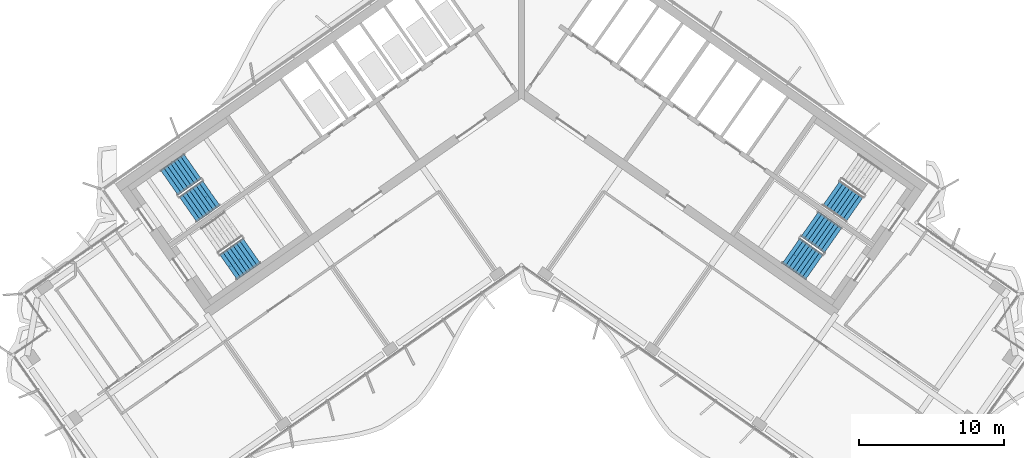
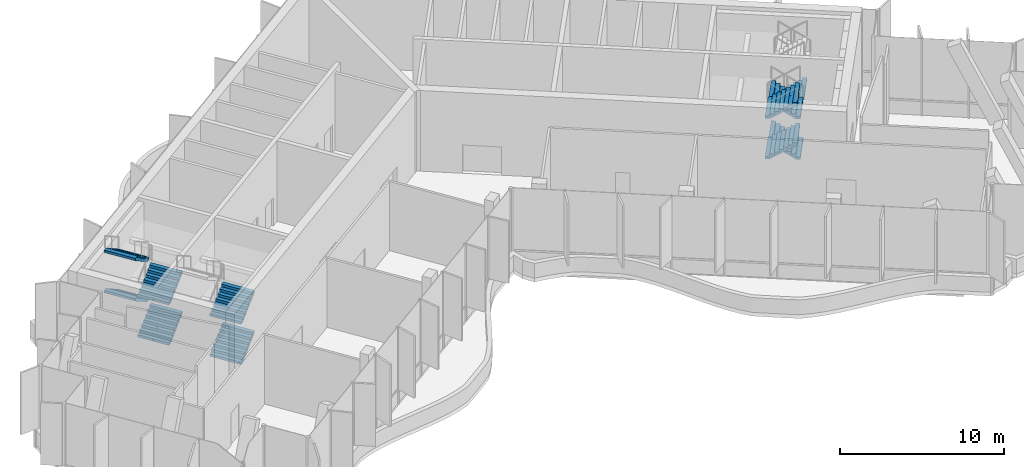
# One storey, part 15 of 22: 11 stair flights, 4 elements without a shape of their own.
"""IFC4 building model written with IfcOpenShell, lengths in metres."""

from ifc_helpers import new_model, si_unit, direction, frame, origin, place, context, subcontext, project, spatial, polyline, outline, extrude, material, type_object, element, aggregate, save


model = new_model("IFC4")

# Units and contexts
model_context = context("Model", 3, precision=1e-05, world=origin(), true_north=direction((0.0, 1.0)))
body_context = subcontext(model_context, "Body", "Model", "MODEL_VIEW")
ifc_project = project(units=[si_unit("LENGTHUNIT", "METRE"), si_unit("AREAUNIT", "SQUARE_METRE"), si_unit("VOLUMEUNIT", "CUBIC_METRE"), si_unit("PLANEANGLEUNIT", "RADIAN"), si_unit("MASSUNIT", "GRAM", prefix="KILO")], contexts=[model_context])

# Site, building, storey
site_placement = place(None, origin())
site = spatial("IfcSite", under=ifc_project, at=site_placement, CompositionType="ELEMENT")
building_placement = place(site_placement, origin())
building = spatial("IfcBuilding", under=site, at=building_placement, Name="Tel Ilan Convention Tower", CompositionType="ELEMENT")
storey_placement = place(building_placement, frame((0.0, 0.0, 219.39990234375)))
storey = spatial("IfcBuildingStorey", under=building, at=storey_placement, Name="L51", CompositionType="ELEMENT", Elevation=219.39990234375)

# Stair, stair flights
ifc_material_1 = material(Name="Concrete C40/50", Category="concrete")
stair_type = type_object("IfcStairType", Name="Pressurised Exit Stair 32 risers 188 mm", PredefinedType="HALF_TURN_STAIR", material=ifc_material_1)
stair_1_placement = place(storey_placement, origin())
stair_1 = element("IfcStair", 1, at=stair_1_placement, inside=storey, type_object=stair_type, Name="L51 Pressurised Stair S1", PredefinedType="HALF_TURN_STAIR")
ifc_material_2 = material(Name="Precast Concrete C40/50", Category="concrete")
stair_flight_type = type_object("IfcStairFlightType", Name="Concrete Stair Flight 2100 mm 32 risers 188 mm", PredefinedType="STRAIGHT", material=ifc_material_2)
stair_flight_1_placement = place(storey_placement, frame((-22.9619140625, -8.87548828125, 0.0), z_axis=(0.0, 0.0, 1.0), x_axis=(0.819152044289, 0.573576436351, 0.0)))
stair_flight_1 = element("IfcStairFlight", 2, at=stair_flight_1_placement, type_object=stair_flight_type, Name="S1 flight 1", NumberOfRisers=8, NumberOfTreads=7, PredefinedType="STRAIGHT", RiserHeight=0.1875, TreadLength=0.28, context=body_context, shape_type="SweptSolid", body=[
    extrude(outline(polyline([(0.0, 0.0), (0.0, 0.1875), (0.280029296875, 0.1875), (0.280029296875, 0.375), (0.56005859375, 0.375), (0.56005859375, 0.5625), (0.840087890625, 0.5625), (0.840087890625, 0.75), (1.1201171875, 0.75), (1.1201171875, 0.9375), (1.39990234375, 0.9375), (1.39990234375, 1.125), (1.679931640625, 1.125), (1.679931640625, 1.3125), (1.9599609375, 1.3125), (1.9599609375, 1.5), (1.9599609375, 1.132080078125), (0.26953125, 0.0), (0.0, 0.0)])), frame((0.0, -0.100341796875, 0.0), z_axis=(0.0, -1.0, 0.0), x_axis=(1.0, 0.0, 0.0)), (0.0, 0.0, 1.0), 0.94970703125),
    extrude(outline(polyline([(0.0, 0.0), (0.0, 0.1875), (0.280029296875, 0.1875), (0.280029296875, 0.375), (0.56005859375, 0.375), (0.56005859375, 0.5625), (0.840087890625, 0.5625), (0.840087890625, 0.75), (1.1201171875, 0.75), (1.1201171875, 0.9375), (1.39990234375, 0.9375), (1.39990234375, 1.125), (1.679931640625, 1.125), (1.679931640625, 1.3125), (1.9599609375, 1.3125), (1.9599609375, 1.5), (1.9599609375, 1.132080078125), (0.26953125, 0.0), (0.0, 0.0)])), frame((0.0, -0.000244140625, 0.0), z_axis=(0.0, -1.0, 0.0), x_axis=(1.0, 0.0, 0.0)), (0.0, 0.0, 1.0), 0.099609375),
    extrude(outline(polyline([(0.0, 0.0), (0.0, 0.1875), (0.280029296875, 0.1875), (0.280029296875, 0.375), (0.56005859375, 0.375), (0.56005859375, 0.5625), (0.840087890625, 0.5625), (0.840087890625, 0.75), (1.1201171875, 0.75), (1.1201171875, 0.9375), (1.39990234375, 0.9375), (1.39990234375, 1.125), (1.679931640625, 1.125), (1.679931640625, 1.3125), (1.9599609375, 1.3125), (1.9599609375, 1.5), (1.9599609375, 1.132080078125), (0.26953125, 0.0), (0.0, 0.0)])), frame((0.0, 0.099853515625, 0.0), z_axis=(0.0, -1.0, 0.0), x_axis=(1.0, 0.0, 0.0)), (0.0, 0.0, 1.0), 0.099609375),
    extrude(outline(polyline([(0.0, 0.0), (0.0, 0.1875), (0.280029296875, 0.1875), (0.280029296875, 0.375), (0.56005859375, 0.375), (0.56005859375, 0.5625), (0.840087890625, 0.5625), (0.840087890625, 0.75), (1.1201171875, 0.75), (1.1201171875, 0.9375), (1.39990234375, 0.9375), (1.39990234375, 1.125), (1.679931640625, 1.125), (1.679931640625, 1.3125), (1.9599609375, 1.3125), (1.9599609375, 1.5), (1.9599609375, 1.132080078125), (0.26953125, 0.0), (0.0, 0.0)])), frame((0.0, 1.050048828125, 0.0), z_axis=(0.0, -1.0, 0.0), x_axis=(1.0, 0.0, 0.0)), (0.0, 0.0, 1.0), 0.94970703125),
])
stair_flight_2_placement = place(storey_placement, frame((-22.646728515625, -5.908203125, 1.5), z_axis=(0.0, 0.0, 1.0), x_axis=(-0.819152044289, -0.573576436351, 0.0)))
stair_flight_2 = element("IfcStairFlight", 3, at=stair_flight_2_placement, type_object=stair_flight_type, Name="S1 flight 2", NumberOfRisers=8, NumberOfTreads=7, PredefinedType="STRAIGHT", RiserHeight=0.1875, TreadLength=0.28, context=body_context, shape_type="SweptSolid", body=[
    extrude(outline(polyline([(0.0, 0.0), (0.0, 0.1875), (0.280029296875, 0.1875), (0.280029296875, 0.375), (0.56005859375, 0.375), (0.56005859375, 0.5625), (0.840087890625, 0.5625), (0.840087890625, 0.75), (1.1201171875, 0.75), (1.1201171875, 0.9375), (1.39990234375, 0.9375), (1.39990234375, 1.125), (1.679931640625, 1.125), (1.679931640625, 1.3125), (1.9599609375, 1.3125), (1.9599609375, 1.5), (1.9599609375, 1.132080078125), (0.26953125, 0.0), (0.0, 0.0)])), frame((0.0, -0.100341796875, 0.0), z_axis=(0.0, -1.0, 0.0), x_axis=(1.0, 0.0, 0.0)), (0.0, 0.0, 1.0), 0.94970703125),
    extrude(outline(polyline([(0.0, 0.0), (0.0, 0.1875), (0.280029296875, 0.1875), (0.280029296875, 0.375), (0.56005859375, 0.375), (0.56005859375, 0.5625), (0.840087890625, 0.5625), (0.840087890625, 0.75), (1.1201171875, 0.75), (1.1201171875, 0.9375), (1.39990234375, 0.9375), (1.39990234375, 1.125), (1.679931640625, 1.125), (1.679931640625, 1.3125), (1.9599609375, 1.3125), (1.9599609375, 1.5), (1.9599609375, 1.132080078125), (0.26953125, 0.0), (0.0, 0.0)])), frame((0.0, -0.000244140625, 0.0), z_axis=(0.0, -1.0, 0.0), x_axis=(1.0, 0.0, 0.0)), (0.0, 0.0, 1.0), 0.099609375),
    extrude(outline(polyline([(0.0, 0.0), (0.0, 0.1875), (0.280029296875, 0.1875), (0.280029296875, 0.375), (0.56005859375, 0.375), (0.56005859375, 0.5625), (0.840087890625, 0.5625), (0.840087890625, 0.75), (1.1201171875, 0.75), (1.1201171875, 0.9375), (1.39990234375, 0.9375), (1.39990234375, 1.125), (1.679931640625, 1.125), (1.679931640625, 1.3125), (1.9599609375, 1.3125), (1.9599609375, 1.5), (1.9599609375, 1.132080078125), (0.26953125, 0.0), (0.0, 0.0)])), frame((0.0, 0.099853515625, 0.0), z_axis=(0.0, -1.0, 0.0), x_axis=(1.0, 0.0, 0.0)), (0.0, 0.0, 1.0), 0.099609375),
    extrude(outline(polyline([(0.0, 0.0), (0.0, 0.1875), (0.280029296875, 0.1875), (0.280029296875, 0.375), (0.56005859375, 0.375), (0.56005859375, 0.5625), (0.840087890625, 0.5625), (0.840087890625, 0.75), (1.1201171875, 0.75), (1.1201171875, 0.9375), (1.39990234375, 0.9375), (1.39990234375, 1.125), (1.679931640625, 1.125), (1.679931640625, 1.3125), (1.9599609375, 1.3125), (1.9599609375, 1.5), (1.9599609375, 1.132080078125), (0.26953125, 0.0), (0.0, 0.0)])), frame((0.0, 1.050048828125, 0.0), z_axis=(0.0, -1.0, 0.0), x_axis=(1.0, 0.0, 0.0)), (0.0, 0.0, 1.0), 0.94970703125),
])
stair_flight_3_placement = place(storey_placement, frame((-22.9619140625, -8.87548828125, 3.0), z_axis=(0.0, 0.0, 1.0), x_axis=(0.819152044289, 0.573576436351, 0.0)))
stair_flight_3 = element("IfcStairFlight", 4, at=stair_flight_3_placement, type_object=stair_flight_type, Name="S1 flight 3", NumberOfRisers=8, NumberOfTreads=7, PredefinedType="STRAIGHT", RiserHeight=0.1875, TreadLength=0.28, context=body_context, shape_type="SweptSolid", body=[
    extrude(outline(polyline([(0.0, 0.0), (0.0, 0.1875), (0.280029296875, 0.1875), (0.280029296875, 0.375), (0.56005859375, 0.375), (0.56005859375, 0.5625), (0.840087890625, 0.5625), (0.840087890625, 0.75), (1.1201171875, 0.75), (1.1201171875, 0.9375), (1.39990234375, 0.9375), (1.39990234375, 1.125), (1.679931640625, 1.125), (1.679931640625, 1.3125), (1.9599609375, 1.3125), (1.9599609375, 1.5), (1.9599609375, 1.132080078125), (0.26953125, 0.0), (0.0, 0.0)])), frame((0.0, -0.100341796875, 0.0), z_axis=(0.0, -1.0, 0.0), x_axis=(1.0, 0.0, 0.0)), (0.0, 0.0, 1.0), 0.94970703125),
    extrude(outline(polyline([(0.0, 0.0), (0.0, 0.1875), (0.280029296875, 0.1875), (0.280029296875, 0.375), (0.56005859375, 0.375), (0.56005859375, 0.5625), (0.840087890625, 0.5625), (0.840087890625, 0.75), (1.1201171875, 0.75), (1.1201171875, 0.9375), (1.39990234375, 0.9375), (1.39990234375, 1.125), (1.679931640625, 1.125), (1.679931640625, 1.3125), (1.9599609375, 1.3125), (1.9599609375, 1.5), (1.9599609375, 1.132080078125), (0.26953125, 0.0), (0.0, 0.0)])), frame((0.0, -0.000244140625, 0.0), z_axis=(0.0, -1.0, 0.0), x_axis=(1.0, 0.0, 0.0)), (0.0, 0.0, 1.0), 0.099609375),
    extrude(outline(polyline([(0.0, 0.0), (0.0, 0.1875), (0.280029296875, 0.1875), (0.280029296875, 0.375), (0.56005859375, 0.375), (0.56005859375, 0.5625), (0.840087890625, 0.5625), (0.840087890625, 0.75), (1.1201171875, 0.75), (1.1201171875, 0.9375), (1.39990234375, 0.9375), (1.39990234375, 1.125), (1.679931640625, 1.125), (1.679931640625, 1.3125), (1.9599609375, 1.3125), (1.9599609375, 1.5), (1.9599609375, 1.132080078125), (0.26953125, 0.0), (0.0, 0.0)])), frame((0.0, 0.099853515625, 0.0), z_axis=(0.0, -1.0, 0.0), x_axis=(1.0, 0.0, 0.0)), (0.0, 0.0, 1.0), 0.099609375),
    extrude(outline(polyline([(0.0, 0.0), (0.0, 0.1875), (0.280029296875, 0.1875), (0.280029296875, 0.375), (0.56005859375, 0.375), (0.56005859375, 0.5625), (0.840087890625, 0.5625), (0.840087890625, 0.75), (1.1201171875, 0.75), (1.1201171875, 0.9375), (1.39990234375, 0.9375), (1.39990234375, 1.125), (1.679931640625, 1.125), (1.679931640625, 1.3125), (1.9599609375, 1.3125), (1.9599609375, 1.5), (1.9599609375, 1.132080078125), (0.26953125, 0.0), (0.0, 0.0)])), frame((0.0, 1.050048828125, 0.0), z_axis=(0.0, -1.0, 0.0), x_axis=(1.0, 0.0, 0.0)), (0.0, 0.0, 1.0), 0.94970703125),
])
stair_flight_4_placement = place(storey_placement, frame((-22.646728515625, -5.908203125, 4.5), z_axis=(0.0, 0.0, 1.0), x_axis=(-0.819152044289, -0.573576436351, 0.0)))
stair_flight_4 = element("IfcStairFlight", 5, at=stair_flight_4_placement, type_object=stair_flight_type, Name="S1 flight 4", NumberOfRisers=8, NumberOfTreads=7, PredefinedType="STRAIGHT", RiserHeight=0.1875, TreadLength=0.28, context=body_context, shape_type="SweptSolid", body=[
    extrude(outline(polyline([(0.0, 0.0), (0.0, 0.1875), (0.280029296875, 0.1875), (0.280029296875, 0.375), (0.56005859375, 0.375), (0.56005859375, 0.5625), (0.840087890625, 0.5625), (0.840087890625, 0.75), (1.1201171875, 0.75), (1.1201171875, 0.9375), (1.39990234375, 0.9375), (1.39990234375, 1.125), (1.679931640625, 1.125), (1.679931640625, 1.3125), (1.9599609375, 1.3125), (1.9599609375, 1.5), (1.9599609375, 1.132080078125), (0.26953125, 0.0), (0.0, 0.0)])), frame((0.0, -0.100341796875, 0.0), z_axis=(0.0, -1.0, 0.0), x_axis=(1.0, 0.0, 0.0)), (0.0, 0.0, 1.0), 0.94970703125),
    extrude(outline(polyline([(0.0, 0.0), (0.0, 0.1875), (0.280029296875, 0.1875), (0.280029296875, 0.375), (0.56005859375, 0.375), (0.56005859375, 0.5625), (0.840087890625, 0.5625), (0.840087890625, 0.75), (1.1201171875, 0.75), (1.1201171875, 0.9375), (1.39990234375, 0.9375), (1.39990234375, 1.125), (1.679931640625, 1.125), (1.679931640625, 1.3125), (1.9599609375, 1.3125), (1.9599609375, 1.5), (1.9599609375, 1.132080078125), (0.26953125, 0.0), (0.0, 0.0)])), frame((0.0, -0.000244140625, 0.0), z_axis=(0.0, -1.0, 0.0), x_axis=(1.0, 0.0, 0.0)), (0.0, 0.0, 1.0), 0.099609375),
    extrude(outline(polyline([(0.0, 0.0), (0.0, 0.1875), (0.280029296875, 0.1875), (0.280029296875, 0.375), (0.56005859375, 0.375), (0.56005859375, 0.5625), (0.840087890625, 0.5625), (0.840087890625, 0.75), (1.1201171875, 0.75), (1.1201171875, 0.9375), (1.39990234375, 0.9375), (1.39990234375, 1.125), (1.679931640625, 1.125), (1.679931640625, 1.3125), (1.9599609375, 1.3125), (1.9599609375, 1.5), (1.9599609375, 1.132080078125), (0.26953125, 0.0), (0.0, 0.0)])), frame((0.0, 0.099853515625, 0.0), z_axis=(0.0, -1.0, 0.0), x_axis=(1.0, 0.0, 0.0)), (0.0, 0.0, 1.0), 0.099609375),
    extrude(outline(polyline([(0.0, 0.0), (0.0, 0.1875), (0.280029296875, 0.1875), (0.280029296875, 0.375), (0.56005859375, 0.375), (0.56005859375, 0.5625), (0.840087890625, 0.5625), (0.840087890625, 0.75), (1.1201171875, 0.75), (1.1201171875, 0.9375), (1.39990234375, 0.9375), (1.39990234375, 1.125), (1.679931640625, 1.125), (1.679931640625, 1.3125), (1.9599609375, 1.3125), (1.9599609375, 1.5), (1.9599609375, 1.132080078125), (0.26953125, 0.0), (0.0, 0.0)])), frame((0.0, 1.050048828125, 0.0), z_axis=(0.0, -1.0, 0.0), x_axis=(1.0, 0.0, 0.0)), (0.0, 0.0, 1.0), 0.94970703125),
])
aggregate(stair_1, [stair_flight_1, stair_flight_2, stair_flight_3, stair_flight_4])

stair_2_placement = place(storey_placement, origin())
stair_2 = element("IfcStair", 6, at=stair_2_placement, inside=storey, type_object=stair_type, Name="L51 Pressurised Stair S2", PredefinedType="HALF_TURN_STAIR")
stair_flight_5_placement = place(storey_placement, frame((-20.179931640625, -12.848388671875, 0.0), z_axis=(0.0, 0.0, 1.0), x_axis=(0.819152044289, 0.573576436351, 0.0)))
stair_flight_5 = element("IfcStairFlight", 7, at=stair_flight_5_placement, type_object=stair_flight_type, Name="S2 flight 1", NumberOfRisers=8, NumberOfTreads=7, PredefinedType="STRAIGHT", RiserHeight=0.1875, TreadLength=0.28, context=body_context, shape_type="SweptSolid", body=[
    extrude(outline(polyline([(0.0, 0.0), (0.0, 0.1875), (0.280029296875, 0.1875), (0.280029296875, 0.375), (0.56005859375, 0.375), (0.56005859375, 0.5625), (0.840087890625, 0.5625), (0.840087890625, 0.75), (1.1201171875, 0.75), (1.1201171875, 0.9375), (1.39990234375, 0.9375), (1.39990234375, 1.125), (1.679931640625, 1.125), (1.679931640625, 1.3125), (1.9599609375, 1.3125), (1.9599609375, 1.5), (1.9599609375, 1.132080078125), (0.26953125, 0.0), (0.0, 0.0)])), frame((0.0, -0.100341796875, 0.0), z_axis=(0.0, -1.0, 0.0), x_axis=(1.0, 0.0, 0.0)), (0.0, 0.0, 1.0), 0.94970703125),
    extrude(outline(polyline([(0.0, 0.0), (0.0, 0.1875), (0.280029296875, 0.1875), (0.280029296875, 0.375), (0.56005859375, 0.375), (0.56005859375, 0.5625), (0.840087890625, 0.5625), (0.840087890625, 0.75), (1.1201171875, 0.75), (1.1201171875, 0.9375), (1.39990234375, 0.9375), (1.39990234375, 1.125), (1.679931640625, 1.125), (1.679931640625, 1.3125), (1.9599609375, 1.3125), (1.9599609375, 1.5), (1.9599609375, 1.132080078125), (0.26953125, 0.0), (0.0, 0.0)])), frame((0.0, -0.000244140625, 0.0), z_axis=(0.0, -1.0, 0.0), x_axis=(1.0, 0.0, 0.0)), (0.0, 0.0, 1.0), 0.099609375),
    extrude(outline(polyline([(0.0, 0.0), (0.0, 0.1875), (0.280029296875, 0.1875), (0.280029296875, 0.375), (0.56005859375, 0.375), (0.56005859375, 0.5625), (0.840087890625, 0.5625), (0.840087890625, 0.75), (1.1201171875, 0.75), (1.1201171875, 0.9375), (1.39990234375, 0.9375), (1.39990234375, 1.125), (1.679931640625, 1.125), (1.679931640625, 1.3125), (1.9599609375, 1.3125), (1.9599609375, 1.5), (1.9599609375, 1.132080078125), (0.26953125, 0.0), (0.0, 0.0)])), frame((0.0, 0.099853515625, 0.0), z_axis=(0.0, -1.0, 0.0), x_axis=(1.0, 0.0, 0.0)), (0.0, 0.0, 1.0), 0.099609375),
    extrude(outline(polyline([(0.0, 0.0), (0.0, 0.1875), (0.280029296875, 0.1875), (0.280029296875, 0.375), (0.56005859375, 0.375), (0.56005859375, 0.5625), (0.840087890625, 0.5625), (0.840087890625, 0.75), (1.1201171875, 0.75), (1.1201171875, 0.9375), (1.39990234375, 0.9375), (1.39990234375, 1.125), (1.679931640625, 1.125), (1.679931640625, 1.3125), (1.9599609375, 1.3125), (1.9599609375, 1.5), (1.9599609375, 1.132080078125), (0.26953125, 0.0), (0.0, 0.0)])), frame((0.0, 1.050048828125, 0.0), z_axis=(0.0, -1.0, 0.0), x_axis=(1.0, 0.0, 0.0)), (0.0, 0.0, 1.0), 0.94970703125),
])
stair_flight_6_placement = place(storey_placement, frame((-20.179931640625, -12.848388671875, 3.0), z_axis=(0.0, 0.0, 1.0), x_axis=(0.819152044289, 0.573576436351, 0.0)))
stair_flight_6 = element("IfcStairFlight", 8, at=stair_flight_6_placement, type_object=stair_flight_type, Name="S2 flight 3", NumberOfRisers=8, NumberOfTreads=7, PredefinedType="STRAIGHT", RiserHeight=0.1875, TreadLength=0.28, context=body_context, shape_type="SweptSolid", body=[
    extrude(outline(polyline([(0.0, 0.0), (0.0, 0.1875), (0.280029296875, 0.1875), (0.280029296875, 0.375), (0.56005859375, 0.375), (0.56005859375, 0.5625), (0.840087890625, 0.5625), (0.840087890625, 0.75), (1.1201171875, 0.75), (1.1201171875, 0.9375), (1.39990234375, 0.9375), (1.39990234375, 1.125), (1.679931640625, 1.125), (1.679931640625, 1.3125), (1.9599609375, 1.3125), (1.9599609375, 1.5), (1.9599609375, 1.132080078125), (0.26953125, 0.0), (0.0, 0.0)])), frame((0.0, -0.100341796875, 0.0), z_axis=(0.0, -1.0, 0.0), x_axis=(1.0, 0.0, 0.0)), (0.0, 0.0, 1.0), 0.94970703125),
    extrude(outline(polyline([(0.0, 0.0), (0.0, 0.1875), (0.280029296875, 0.1875), (0.280029296875, 0.375), (0.56005859375, 0.375), (0.56005859375, 0.5625), (0.840087890625, 0.5625), (0.840087890625, 0.75), (1.1201171875, 0.75), (1.1201171875, 0.9375), (1.39990234375, 0.9375), (1.39990234375, 1.125), (1.679931640625, 1.125), (1.679931640625, 1.3125), (1.9599609375, 1.3125), (1.9599609375, 1.5), (1.9599609375, 1.132080078125), (0.26953125, 0.0), (0.0, 0.0)])), frame((0.0, -0.000244140625, 0.0), z_axis=(0.0, -1.0, 0.0), x_axis=(1.0, 0.0, 0.0)), (0.0, 0.0, 1.0), 0.099609375),
    extrude(outline(polyline([(0.0, 0.0), (0.0, 0.1875), (0.280029296875, 0.1875), (0.280029296875, 0.375), (0.56005859375, 0.375), (0.56005859375, 0.5625), (0.840087890625, 0.5625), (0.840087890625, 0.75), (1.1201171875, 0.75), (1.1201171875, 0.9375), (1.39990234375, 0.9375), (1.39990234375, 1.125), (1.679931640625, 1.125), (1.679931640625, 1.3125), (1.9599609375, 1.3125), (1.9599609375, 1.5), (1.9599609375, 1.132080078125), (0.26953125, 0.0), (0.0, 0.0)])), frame((0.0, 0.099853515625, 0.0), z_axis=(0.0, -1.0, 0.0), x_axis=(1.0, 0.0, 0.0)), (0.0, 0.0, 1.0), 0.099609375),
    extrude(outline(polyline([(0.0, 0.0), (0.0, 0.1875), (0.280029296875, 0.1875), (0.280029296875, 0.375), (0.56005859375, 0.375), (0.56005859375, 0.5625), (0.840087890625, 0.5625), (0.840087890625, 0.75), (1.1201171875, 0.75), (1.1201171875, 0.9375), (1.39990234375, 0.9375), (1.39990234375, 1.125), (1.679931640625, 1.125), (1.679931640625, 1.3125), (1.9599609375, 1.3125), (1.9599609375, 1.5), (1.9599609375, 1.132080078125), (0.26953125, 0.0), (0.0, 0.0)])), frame((0.0, 1.050048828125, 0.0), z_axis=(0.0, -1.0, 0.0), x_axis=(1.0, 0.0, 0.0)), (0.0, 0.0, 1.0), 0.94970703125),
])
aggregate(stair_2, [stair_flight_5, stair_flight_6])

# Stair, stair flight
stair_3_placement = place(storey_placement, origin())
stair_3 = element("IfcStair", 9, at=stair_3_placement, inside=storey, type_object=stair_type, Name="L51 Pressurised Stair S3", PredefinedType="HALF_TURN_STAIR")
stair_flight_7_placement = place(storey_placement, frame((21.356201171875, -7.751220703125, 1.5), z_axis=(0.0, 0.0, 1.0), x_axis=(0.819152044289, -0.573576436351, 0.0)))
stair_flight_7 = element("IfcStairFlight", 10, at=stair_flight_7_placement, type_object=stair_flight_type, Name="S3 flight 2", NumberOfRisers=8, NumberOfTreads=7, PredefinedType="STRAIGHT", RiserHeight=0.1875, TreadLength=0.28, context=body_context, shape_type="SweptSolid", body=[
    extrude(outline(polyline([(0.0, 0.0), (0.0, 0.1875), (0.280029296875, 0.1875), (0.280029296875, 0.375), (0.56005859375, 0.375), (0.56005859375, 0.5625), (0.840087890625, 0.5625), (0.840087890625, 0.75), (1.1201171875, 0.75), (1.1201171875, 0.9375), (1.39990234375, 0.9375), (1.39990234375, 1.125), (1.679931640625, 1.125), (1.679931640625, 1.3125), (1.9599609375, 1.3125), (1.9599609375, 1.5), (1.9599609375, 1.132080078125), (0.26953125, 0.0), (0.0, 0.0)])), frame((0.0, -0.100341796875, 0.0), z_axis=(0.0, -1.0, 0.0), x_axis=(1.0, 0.0, 0.0)), (0.0, 0.0, 1.0), 0.94970703125),
    extrude(outline(polyline([(0.0, 0.0), (0.0, 0.1875), (0.280029296875, 0.1875), (0.280029296875, 0.375), (0.56005859375, 0.375), (0.56005859375, 0.5625), (0.840087890625, 0.5625), (0.840087890625, 0.75), (1.1201171875, 0.75), (1.1201171875, 0.9375), (1.39990234375, 0.9375), (1.39990234375, 1.125), (1.679931640625, 1.125), (1.679931640625, 1.3125), (1.9599609375, 1.3125), (1.9599609375, 1.5), (1.9599609375, 1.132080078125), (0.26953125, 0.0), (0.0, 0.0)])), frame((0.0, -0.000244140625, 0.0), z_axis=(0.0, -1.0, 0.0), x_axis=(1.0, 0.0, 0.0)), (0.0, 0.0, 1.0), 0.099609375),
    extrude(outline(polyline([(0.0, 0.0), (0.0, 0.1875), (0.280029296875, 0.1875), (0.280029296875, 0.375), (0.56005859375, 0.375), (0.56005859375, 0.5625), (0.840087890625, 0.5625), (0.840087890625, 0.75), (1.1201171875, 0.75), (1.1201171875, 0.9375), (1.39990234375, 0.9375), (1.39990234375, 1.125), (1.679931640625, 1.125), (1.679931640625, 1.3125), (1.9599609375, 1.3125), (1.9599609375, 1.5), (1.9599609375, 1.132080078125), (0.26953125, 0.0), (0.0, 0.0)])), frame((0.0, 0.099853515625, 0.0), z_axis=(0.0, -1.0, 0.0), x_axis=(1.0, 0.0, 0.0)), (0.0, 0.0, 1.0), 0.099609375),
    extrude(outline(polyline([(0.0, 0.0), (0.0, 0.1875), (0.280029296875, 0.1875), (0.280029296875, 0.375), (0.56005859375, 0.375), (0.56005859375, 0.5625), (0.840087890625, 0.5625), (0.840087890625, 0.75), (1.1201171875, 0.75), (1.1201171875, 0.9375), (1.39990234375, 0.9375), (1.39990234375, 1.125), (1.679931640625, 1.125), (1.679931640625, 1.3125), (1.9599609375, 1.3125), (1.9599609375, 1.5), (1.9599609375, 1.132080078125), (0.26953125, 0.0), (0.0, 0.0)])), frame((0.0, 1.050048828125, 0.0), z_axis=(0.0, -1.0, 0.0), x_axis=(1.0, 0.0, 0.0)), (0.0, 0.0, 1.0), 0.94970703125),
])
aggregate(stair_3, [stair_flight_7])

# Stair, stair flights
stair_4_placement = place(storey_placement, origin())
stair_4 = element("IfcStair", 11, at=stair_4_placement, inside=storey, type_object=stair_type, Name="L51 Pressurised Stair S4", PredefinedType="HALF_TURN_STAIR")
stair_flight_8_placement = place(storey_placement, frame((21.470458984375, -11.00537109375, 0.0), z_axis=(0.0, 0.0, 1.0), x_axis=(-0.819152044289, 0.573576436351, 0.0)))
stair_flight_8 = element("IfcStairFlight", 12, at=stair_flight_8_placement, type_object=stair_flight_type, Name="S4 flight 1", NumberOfRisers=8, NumberOfTreads=7, PredefinedType="STRAIGHT", RiserHeight=0.1875, TreadLength=0.28, context=body_context, shape_type="SweptSolid", body=[
    extrude(outline(polyline([(0.0, 0.0), (0.0, 0.1875), (0.280029296875, 0.1875), (0.280029296875, 0.375), (0.56005859375, 0.375), (0.56005859375, 0.5625), (0.840087890625, 0.5625), (0.840087890625, 0.75), (1.1201171875, 0.75), (1.1201171875, 0.9375), (1.39990234375, 0.9375), (1.39990234375, 1.125), (1.679931640625, 1.125), (1.679931640625, 1.3125), (1.9599609375, 1.3125), (1.9599609375, 1.5), (1.9599609375, 1.132080078125), (0.26953125, 0.0), (0.0, 0.0)])), frame((0.0, -0.100341796875, 0.0), z_axis=(0.0, -1.0, 0.0), x_axis=(1.0, 0.0, 0.0)), (0.0, 0.0, 1.0), 0.94970703125),
    extrude(outline(polyline([(0.0, 0.0), (0.0, 0.1875), (0.280029296875, 0.1875), (0.280029296875, 0.375), (0.56005859375, 0.375), (0.56005859375, 0.5625), (0.840087890625, 0.5625), (0.840087890625, 0.75), (1.1201171875, 0.75), (1.1201171875, 0.9375), (1.39990234375, 0.9375), (1.39990234375, 1.125), (1.679931640625, 1.125), (1.679931640625, 1.3125), (1.9599609375, 1.3125), (1.9599609375, 1.5), (1.9599609375, 1.132080078125), (0.26953125, 0.0), (0.0, 0.0)])), frame((0.0, -0.000244140625, 0.0), z_axis=(0.0, -1.0, 0.0), x_axis=(1.0, 0.0, 0.0)), (0.0, 0.0, 1.0), 0.099609375),
    extrude(outline(polyline([(0.0, 0.0), (0.0, 0.1875), (0.280029296875, 0.1875), (0.280029296875, 0.375), (0.56005859375, 0.375), (0.56005859375, 0.5625), (0.840087890625, 0.5625), (0.840087890625, 0.75), (1.1201171875, 0.75), (1.1201171875, 0.9375), (1.39990234375, 0.9375), (1.39990234375, 1.125), (1.679931640625, 1.125), (1.679931640625, 1.3125), (1.9599609375, 1.3125), (1.9599609375, 1.5), (1.9599609375, 1.132080078125), (0.26953125, 0.0), (0.0, 0.0)])), frame((0.0, 0.099853515625, 0.0), z_axis=(0.0, -1.0, 0.0), x_axis=(1.0, 0.0, 0.0)), (0.0, 0.0, 1.0), 0.099609375),
    extrude(outline(polyline([(0.0, 0.0), (0.0, 0.1875), (0.280029296875, 0.1875), (0.280029296875, 0.375), (0.56005859375, 0.375), (0.56005859375, 0.5625), (0.840087890625, 0.5625), (0.840087890625, 0.75), (1.1201171875, 0.75), (1.1201171875, 0.9375), (1.39990234375, 0.9375), (1.39990234375, 1.125), (1.679931640625, 1.125), (1.679931640625, 1.3125), (1.9599609375, 1.3125), (1.9599609375, 1.5), (1.9599609375, 1.132080078125), (0.26953125, 0.0), (0.0, 0.0)])), frame((0.0, 1.050048828125, 0.0), z_axis=(0.0, -1.0, 0.0), x_axis=(1.0, 0.0, 0.0)), (0.0, 0.0, 1.0), 0.94970703125),
])
stair_flight_9_placement = place(storey_placement, frame((18.574462890625, -11.72412109375, 1.5), z_axis=(0.0, 0.0, 1.0), x_axis=(0.819152044289, -0.573576436351, 0.0)))
stair_flight_9 = element("IfcStairFlight", 13, at=stair_flight_9_placement, type_object=stair_flight_type, Name="S4 flight 2", NumberOfRisers=8, NumberOfTreads=7, PredefinedType="STRAIGHT", RiserHeight=0.1875, TreadLength=0.28, context=body_context, shape_type="SweptSolid", body=[
    extrude(outline(polyline([(0.0, 0.0), (0.0, 0.1875), (0.280029296875, 0.1875), (0.280029296875, 0.375), (0.56005859375, 0.375), (0.56005859375, 0.5625), (0.840087890625, 0.5625), (0.840087890625, 0.75), (1.1201171875, 0.75), (1.1201171875, 0.9375), (1.39990234375, 0.9375), (1.39990234375, 1.125), (1.679931640625, 1.125), (1.679931640625, 1.3125), (1.9599609375, 1.3125), (1.9599609375, 1.5), (1.9599609375, 1.132080078125), (0.26953125, 0.0), (0.0, 0.0)])), frame((0.0, -0.100341796875, 0.0), z_axis=(0.0, -1.0, 0.0), x_axis=(1.0, 0.0, 0.0)), (0.0, 0.0, 1.0), 0.94970703125),
    extrude(outline(polyline([(0.0, 0.0), (0.0, 0.1875), (0.280029296875, 0.1875), (0.280029296875, 0.375), (0.56005859375, 0.375), (0.56005859375, 0.5625), (0.840087890625, 0.5625), (0.840087890625, 0.75), (1.1201171875, 0.75), (1.1201171875, 0.9375), (1.39990234375, 0.9375), (1.39990234375, 1.125), (1.679931640625, 1.125), (1.679931640625, 1.3125), (1.9599609375, 1.3125), (1.9599609375, 1.5), (1.9599609375, 1.132080078125), (0.26953125, 0.0), (0.0, 0.0)])), frame((0.0, -0.000244140625, 0.0), z_axis=(0.0, -1.0, 0.0), x_axis=(1.0, 0.0, 0.0)), (0.0, 0.0, 1.0), 0.099609375),
    extrude(outline(polyline([(0.0, 0.0), (0.0, 0.1875), (0.280029296875, 0.1875), (0.280029296875, 0.375), (0.56005859375, 0.375), (0.56005859375, 0.5625), (0.840087890625, 0.5625), (0.840087890625, 0.75), (1.1201171875, 0.75), (1.1201171875, 0.9375), (1.39990234375, 0.9375), (1.39990234375, 1.125), (1.679931640625, 1.125), (1.679931640625, 1.3125), (1.9599609375, 1.3125), (1.9599609375, 1.5), (1.9599609375, 1.132080078125), (0.26953125, 0.0), (0.0, 0.0)])), frame((0.0, 0.099853515625, 0.0), z_axis=(0.0, -1.0, 0.0), x_axis=(1.0, 0.0, 0.0)), (0.0, 0.0, 1.0), 0.099609375),
    extrude(outline(polyline([(0.0, 0.0), (0.0, 0.1875), (0.280029296875, 0.1875), (0.280029296875, 0.375), (0.56005859375, 0.375), (0.56005859375, 0.5625), (0.840087890625, 0.5625), (0.840087890625, 0.75), (1.1201171875, 0.75), (1.1201171875, 0.9375), (1.39990234375, 0.9375), (1.39990234375, 1.125), (1.679931640625, 1.125), (1.679931640625, 1.3125), (1.9599609375, 1.3125), (1.9599609375, 1.5), (1.9599609375, 1.132080078125), (0.26953125, 0.0), (0.0, 0.0)])), frame((0.0, 1.050048828125, 0.0), z_axis=(0.0, -1.0, 0.0), x_axis=(1.0, 0.0, 0.0)), (0.0, 0.0, 1.0), 0.94970703125),
])
stair_flight_10_placement = place(storey_placement, frame((21.470458984375, -11.00537109375, 3.0), z_axis=(0.0, 0.0, 1.0), x_axis=(-0.819152044289, 0.573576436351, 0.0)))
stair_flight_10 = element("IfcStairFlight", 14, at=stair_flight_10_placement, type_object=stair_flight_type, Name="S4 flight 3", NumberOfRisers=8, NumberOfTreads=7, PredefinedType="STRAIGHT", RiserHeight=0.1875, TreadLength=0.28, context=body_context, shape_type="SweptSolid", body=[
    extrude(outline(polyline([(0.0, 0.0), (0.0, 0.1875), (0.280029296875, 0.1875), (0.280029296875, 0.375), (0.56005859375, 0.375), (0.56005859375, 0.5625), (0.840087890625, 0.5625), (0.840087890625, 0.75), (1.1201171875, 0.75), (1.1201171875, 0.9375), (1.39990234375, 0.9375), (1.39990234375, 1.125), (1.679931640625, 1.125), (1.679931640625, 1.3125), (1.9599609375, 1.3125), (1.9599609375, 1.5), (1.9599609375, 1.132080078125), (0.26953125, 0.0), (0.0, 0.0)])), frame((0.0, -0.100341796875, 0.0), z_axis=(0.0, -1.0, 0.0), x_axis=(1.0, 0.0, 0.0)), (0.0, 0.0, 1.0), 0.94970703125),
    extrude(outline(polyline([(0.0, 0.0), (0.0, 0.1875), (0.280029296875, 0.1875), (0.280029296875, 0.375), (0.56005859375, 0.375), (0.56005859375, 0.5625), (0.840087890625, 0.5625), (0.840087890625, 0.75), (1.1201171875, 0.75), (1.1201171875, 0.9375), (1.39990234375, 0.9375), (1.39990234375, 1.125), (1.679931640625, 1.125), (1.679931640625, 1.3125), (1.9599609375, 1.3125), (1.9599609375, 1.5), (1.9599609375, 1.132080078125), (0.26953125, 0.0), (0.0, 0.0)])), frame((0.0, -0.000244140625, 0.0), z_axis=(0.0, -1.0, 0.0), x_axis=(1.0, 0.0, 0.0)), (0.0, 0.0, 1.0), 0.099609375),
    extrude(outline(polyline([(0.0, 0.0), (0.0, 0.1875), (0.280029296875, 0.1875), (0.280029296875, 0.375), (0.56005859375, 0.375), (0.56005859375, 0.5625), (0.840087890625, 0.5625), (0.840087890625, 0.75), (1.1201171875, 0.75), (1.1201171875, 0.9375), (1.39990234375, 0.9375), (1.39990234375, 1.125), (1.679931640625, 1.125), (1.679931640625, 1.3125), (1.9599609375, 1.3125), (1.9599609375, 1.5), (1.9599609375, 1.132080078125), (0.26953125, 0.0), (0.0, 0.0)])), frame((0.0, 0.099853515625, 0.0), z_axis=(0.0, -1.0, 0.0), x_axis=(1.0, 0.0, 0.0)), (0.0, 0.0, 1.0), 0.099609375),
    extrude(outline(polyline([(0.0, 0.0), (0.0, 0.1875), (0.280029296875, 0.1875), (0.280029296875, 0.375), (0.56005859375, 0.375), (0.56005859375, 0.5625), (0.840087890625, 0.5625), (0.840087890625, 0.75), (1.1201171875, 0.75), (1.1201171875, 0.9375), (1.39990234375, 0.9375), (1.39990234375, 1.125), (1.679931640625, 1.125), (1.679931640625, 1.3125), (1.9599609375, 1.3125), (1.9599609375, 1.5), (1.9599609375, 1.132080078125), (0.26953125, 0.0), (0.0, 0.0)])), frame((0.0, 1.050048828125, 0.0), z_axis=(0.0, -1.0, 0.0), x_axis=(1.0, 0.0, 0.0)), (0.0, 0.0, 1.0), 0.94970703125),
])
stair_flight_11_placement = place(storey_placement, frame((18.574462890625, -11.72412109375, 4.5), z_axis=(0.0, 0.0, 1.0), x_axis=(0.819152044289, -0.573576436351, 0.0)))
stair_flight_11 = element("IfcStairFlight", 15, at=stair_flight_11_placement, type_object=stair_flight_type, Name="S4 flight 4", NumberOfRisers=8, NumberOfTreads=7, PredefinedType="STRAIGHT", RiserHeight=0.1875, TreadLength=0.28, context=body_context, shape_type="SweptSolid", body=[
    extrude(outline(polyline([(0.0, 0.0), (0.0, 0.1875), (0.280029296875, 0.1875), (0.280029296875, 0.375), (0.56005859375, 0.375), (0.56005859375, 0.5625), (0.840087890625, 0.5625), (0.840087890625, 0.75), (1.1201171875, 0.75), (1.1201171875, 0.9375), (1.39990234375, 0.9375), (1.39990234375, 1.125), (1.679931640625, 1.125), (1.679931640625, 1.3125), (1.9599609375, 1.3125), (1.9599609375, 1.5), (1.9599609375, 1.132080078125), (0.26953125, 0.0), (0.0, 0.0)])), frame((0.0, -0.100341796875, 0.0), z_axis=(0.0, -1.0, 0.0), x_axis=(1.0, 0.0, 0.0)), (0.0, 0.0, 1.0), 0.94970703125),
    extrude(outline(polyline([(0.0, 0.0), (0.0, 0.1875), (0.280029296875, 0.1875), (0.280029296875, 0.375), (0.56005859375, 0.375), (0.56005859375, 0.5625), (0.840087890625, 0.5625), (0.840087890625, 0.75), (1.1201171875, 0.75), (1.1201171875, 0.9375), (1.39990234375, 0.9375), (1.39990234375, 1.125), (1.679931640625, 1.125), (1.679931640625, 1.3125), (1.9599609375, 1.3125), (1.9599609375, 1.5), (1.9599609375, 1.132080078125), (0.26953125, 0.0), (0.0, 0.0)])), frame((0.0, -0.000244140625, 0.0), z_axis=(0.0, -1.0, 0.0), x_axis=(1.0, 0.0, 0.0)), (0.0, 0.0, 1.0), 0.099609375),
    extrude(outline(polyline([(0.0, 0.0), (0.0, 0.1875), (0.280029296875, 0.1875), (0.280029296875, 0.375), (0.56005859375, 0.375), (0.56005859375, 0.5625), (0.840087890625, 0.5625), (0.840087890625, 0.75), (1.1201171875, 0.75), (1.1201171875, 0.9375), (1.39990234375, 0.9375), (1.39990234375, 1.125), (1.679931640625, 1.125), (1.679931640625, 1.3125), (1.9599609375, 1.3125), (1.9599609375, 1.5), (1.9599609375, 1.132080078125), (0.26953125, 0.0), (0.0, 0.0)])), frame((0.0, 0.099853515625, 0.0), z_axis=(0.0, -1.0, 0.0), x_axis=(1.0, 0.0, 0.0)), (0.0, 0.0, 1.0), 0.099609375),
    extrude(outline(polyline([(0.0, 0.0), (0.0, 0.1875), (0.280029296875, 0.1875), (0.280029296875, 0.375), (0.56005859375, 0.375), (0.56005859375, 0.5625), (0.840087890625, 0.5625), (0.840087890625, 0.75), (1.1201171875, 0.75), (1.1201171875, 0.9375), (1.39990234375, 0.9375), (1.39990234375, 1.125), (1.679931640625, 1.125), (1.679931640625, 1.3125), (1.9599609375, 1.3125), (1.9599609375, 1.5), (1.9599609375, 1.132080078125), (0.26953125, 0.0), (0.0, 0.0)])), frame((0.0, 1.050048828125, 0.0), z_axis=(0.0, -1.0, 0.0), x_axis=(1.0, 0.0, 0.0)), (0.0, 0.0, 1.0), 0.94970703125),
])
aggregate(stair_4, [stair_flight_8, stair_flight_9, stair_flight_10, stair_flight_11])

save(model, "model.ifc")
